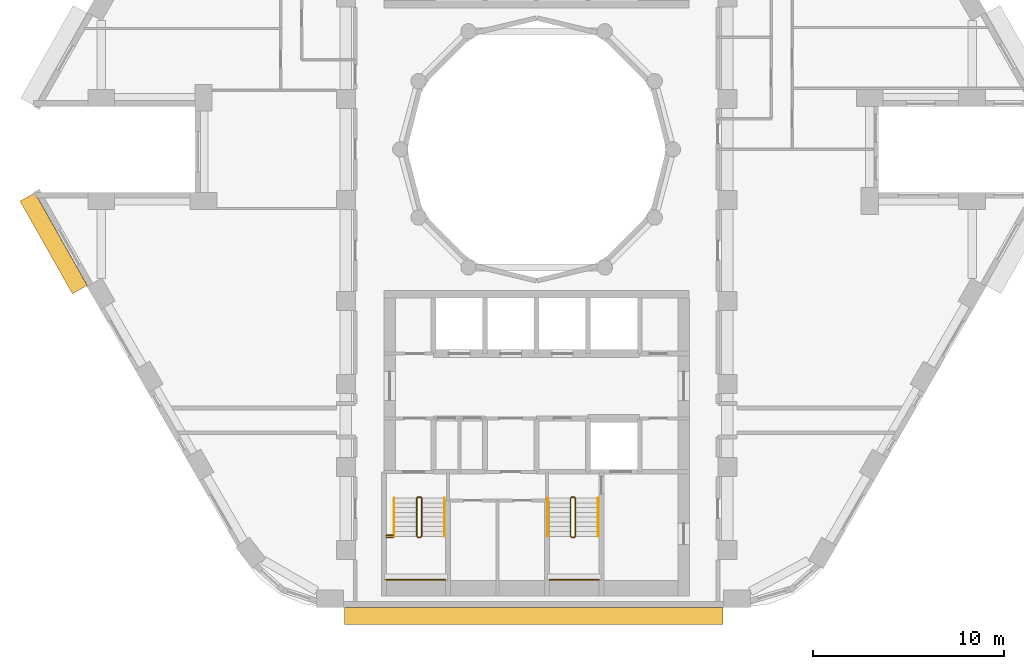
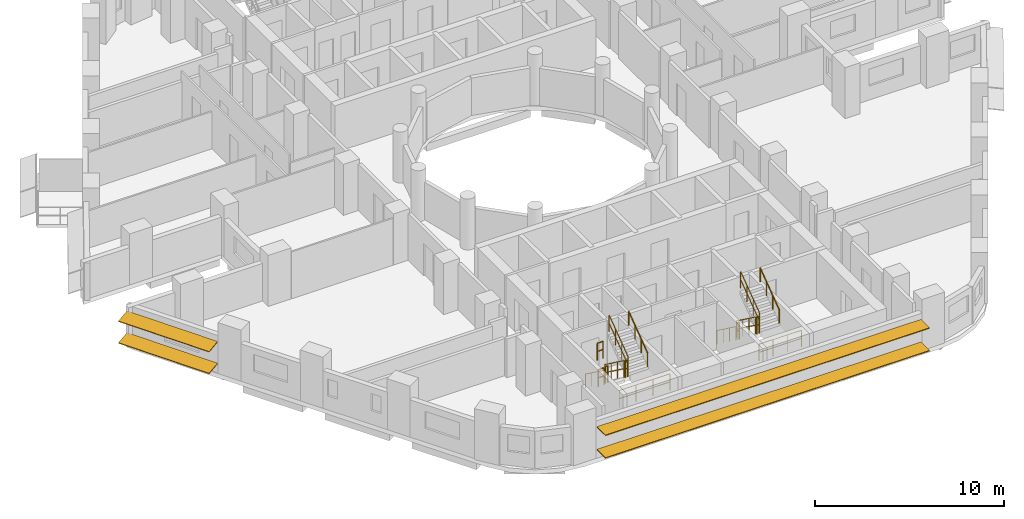
# One storey, part 12 of 14: 16 railings, 4 shading devices.
"""IFC4 building model written with IfcOpenShell, lengths in metres."""

from ifc_helpers import new_model, si_unit, direction, frame, origin, origin_2d, place, context, subcontext, project, spatial, rectangle, circle, extrude, material, material_profile, profile_set, type_object, element, save


model = new_model("IFC4")

# Units and contexts
model_context = context("Model", 3, precision=1e-05, world=origin(), true_north=direction((0.0, 1.0)))
body_context = subcontext(model_context, "Body", "Model", "MODEL_VIEW")
ifc_project = project(units=[si_unit("LENGTHUNIT", "METRE"), si_unit("AREAUNIT", "SQUARE_METRE"), si_unit("VOLUMEUNIT", "CUBIC_METRE"), si_unit("PLANEANGLEUNIT", "RADIAN"), si_unit("MASSUNIT", "GRAM", prefix="KILO")], contexts=[model_context])

# Site, building, storey
site_placement = place(None, origin())
site = spatial("IfcSite", under=ifc_project, at=site_placement, CompositionType="ELEMENT")
building_placement = place(site_placement, origin())
building = spatial("IfcBuilding", under=site, at=building_placement, Name="Nakaniwa Court", CompositionType="ELEMENT")
storey_placement = place(building_placement, frame((0.0, 0.0, 114.0)))
storey = spatial("IfcBuildingStorey", under=building, at=storey_placement, Name="L30", CompositionType="ELEMENT", Elevation=114.0)

# Shading devices
ifc_material_1 = material(Name="Perforated charcoal ceramic louvre blade")
ifc_material_profile = material_profile(ifc_material_1, rectangle(XDim=0.89990234375, YDim=0.050048828125, at=origin_2d()), Name="Perforated ceramic louvre blade")
ifc_profile_set = profile_set([ifc_material_profile], Name="Perforated charcoal ceramic louvre blade")
shading_device_type = type_object("IfcShadingDeviceType", Name="Perforated ceramic louvre blade", PredefinedType="JALOUSIE", material=ifc_profile_set)
for number, where, z_axis, x_axis, name in (
    (1, (53.31689453125, 77.508056640625, 0.550048828125), (0.492438058427, -0.870347493024, 0.0), (0.862701960504, 0.488112256124, 0.132256390257), "L30 perforated ceramic louvre blade w20 1"),
    (2, (53.31689453125, 77.508056640625, 1.955810546875), (0.492438058427, -0.870347493024, 0.0), (0.862701960504, 0.488112256124, 0.132256390257), "L30 perforated ceramic louvre blade w20 2"),
):
    element("IfcShadingDevice", number, at=place(storey_placement, frame(where, z_axis=z_axis, x_axis=x_axis)), inside=storey, type_object=shading_device_type, Name=name, PredefinedType="JALOUSIE", context=body_context, shape_type="SweptSolid", body=[
        extrude(rectangle(XDim=0.89990234375, YDim=0.050048828125, at=origin_2d()), origin(), (0.0, 0.0, 1.0), 5.576416015625),
    ])
for number, where, z_axis, x_axis, name in (
    (3, (69.92138671875, 55.550048828125, 0.550048828125), (1.0, 0.0, 0.0), (0.0, 1.0, 0.0), "L30 perforated ceramic louvre blade w26 1"),
    (4, (69.92138671875, 55.550048828125, 2.014892578125), (1.0, 0.0, 0.0), (0.0, 1.0, 0.0), "L30 perforated ceramic louvre blade w26 2"),
):
    element("IfcShadingDevice", number, at=place(storey_placement, frame(where, z_axis=z_axis, x_axis=x_axis)), inside=storey, type_object=shading_device_type, Name=name, PredefinedType="JALOUSIE", context=body_context, shape_type="SweptSolid", body=[
        extrude(rectangle(XDim=0.89990234375, YDim=0.050048828125, at=origin_2d()), origin(), (0.0, 0.0, 1.0), 19.839599609375),
    ])

# Railings
ifc_material_2 = material(Name="Black powder coated steel guard", Category="steel")
railing_type_1 = type_object("IfcRailingType", Name="Stair guard 1100", PredefinedType="GUARDRAIL", material=ifc_material_2)
railing_1_placement = place(storey_placement, frame((73.72509765625, 61.72509765625, 0.183349609375)))
element("IfcRailing", 5, at=railing_1_placement, inside=storey, type_object=railing_type_1, Name="L30 ST3 stair guard 1", PredefinedType="GUARDRAIL", context=body_context, shape_type="SweptSolid", body=[
    extrude(circle(Radius=0.02392578125, at=origin_2d()), frame((0.0, 0.0, 1.076171875), z_axis=(0.0, -0.806426902644, 0.591333789573), x_axis=(1.0, 0.0, 0.0)), (0.0, 0.0, 1.0), 2.47998046875),
    extrude(circle(Radius=0.02392578125, at=origin_2d()), frame((0.0, 0.0, 0.550048828125), z_axis=(0.0, -0.806426902644, 0.591333789573), x_axis=(1.0, 0.0, 0.0)), (0.0, 0.0, 1.0), 2.47998046875),
    extrude(circle(Radius=0.02099609375, at=origin_2d()), origin(), (0.0, 0.0, 1.0), 1.052001953125),
    extrude(circle(Radius=0.02099609375, at=origin_2d()), frame((0.0, -0.666748046875, 0.48876953125)), (0.0, 0.0, 1.0), 1.052001953125),
    extrude(circle(Radius=0.02099609375, at=origin_2d()), frame((0.0, -1.333251953125, 0.977783203125)), (0.0, 0.0, 1.0), 1.052001953125),
    extrude(circle(Radius=0.02099609375, at=origin_2d()), frame((0.0, -2.0, 1.466552734375)), (0.0, 0.0, 1.0), 1.052001953125),
])
railing_2_placement = place(storey_placement, frame((73.77490234375, 59.675048828125, 1.64990234375)))
element("IfcRailing", 6, at=railing_2_placement, inside=storey, type_object=railing_type_1, Name="L30 ST3 stair guard 2", PredefinedType="GUARDRAIL", context=body_context, shape_type="SweptSolid", body=[
    extrude(circle(Radius=0.02392578125, at=origin_2d()), frame((0.0, 0.0, 1.076171875), z_axis=(1.0, 0.0, 0.0), x_axis=(0.0, 1.0, 0.0)), (0.0, 0.0, 1.0), 0.150146484375),
    extrude(circle(Radius=0.02392578125, at=origin_2d()), frame((0.0, 0.0, 0.550048828125), z_axis=(1.0, 0.0, 0.0), x_axis=(0.0, 1.0, 0.0)), (0.0, 0.0, 1.0), 0.150146484375),
    extrude(circle(Radius=0.02099609375, at=origin_2d()), origin(), (0.0, 0.0, 1.0), 1.052001953125),
    extrude(circle(Radius=0.02099609375, at=origin_2d()), frame((0.150146484375, 0.0, 0.0)), (0.0, 0.0, 1.0), 1.052001953125),
])
railing_3_placement = place(storey_placement, frame((73.97509765625, 59.72509765625, 1.833251953125)))
element("IfcRailing", 7, at=railing_3_placement, inside=storey, type_object=railing_type_1, Name="L30 ST3 stair guard 3", PredefinedType="GUARDRAIL", context=body_context, shape_type="SweptSolid", body=[
    extrude(circle(Radius=0.02392578125, at=origin_2d()), frame((0.0, 0.0, 1.076171875), z_axis=(0.0, 0.806379959628, 0.591397802423), x_axis=(-1.0, 0.0, 0.0)), (0.0, 0.0, 1.0), 2.480224609375),
    extrude(circle(Radius=0.02392578125, at=origin_2d()), frame((0.0, 0.0, 0.550048828125), z_axis=(0.0, 0.806379959628, 0.591397802423), x_axis=(-1.0, 0.0, 0.0)), (0.0, 0.0, 1.0), 2.480224609375),
    extrude(circle(Radius=0.02099609375, at=origin_2d()), origin(), (0.0, 0.0, 1.0), 1.052001953125),
    extrude(circle(Radius=0.02099609375, at=origin_2d()), frame((0.0, 0.666748046875, 0.489013671875)), (0.0, 0.0, 1.0), 1.052001953125),
    extrude(circle(Radius=0.02099609375, at=origin_2d()), frame((0.0, 1.333251953125, 0.977783203125)), (0.0, 0.0, 1.0), 1.052001953125),
    extrude(circle(Radius=0.02099609375, at=origin_2d()), frame((0.0, 2.0, 1.466796875)), (0.0, 0.0, 1.0), 1.052001953125),
])
railing_4_placement = place(storey_placement, frame((73.77490234375, 61.77490234375, 0.0)))
element("IfcRailing", 8, at=railing_4_placement, inside=storey, type_object=railing_type_1, Name="L30 ST3 stair guard 4", PredefinedType="GUARDRAIL", context=body_context, shape_type="SweptSolid", body=[
    extrude(circle(Radius=0.02392578125, at=origin_2d()), frame((0.0, 0.0, 1.076171875), z_axis=(1.0, 0.0, 0.0), x_axis=(0.0, 1.0, 0.0)), (0.0, 0.0, 1.0), 0.150146484375),
    extrude(circle(Radius=0.02392578125, at=origin_2d()), frame((0.0, 0.0, 0.550048828125), z_axis=(1.0, 0.0, 0.0), x_axis=(0.0, 1.0, 0.0)), (0.0, 0.0, 1.0), 0.150146484375),
    extrude(circle(Radius=0.02099609375, at=origin_2d()), origin(), (0.0, 0.0, 1.0), 1.052001953125),
    extrude(circle(Radius=0.02099609375, at=origin_2d()), frame((0.150146484375, 0.0, 0.0)), (0.0, 0.0, 1.0), 1.052001953125),
])
railing_5_placement = place(storey_placement, frame((72.125, 57.449951171875, 1.64990234375)))
element("IfcRailing", 9, at=railing_5_placement, inside=storey, type_object=railing_type_1, Name="L30 ST3 landing end guard 1", PredefinedType="GUARDRAIL", context=body_context, shape_type="SweptSolid", body=[
    extrude(circle(Radius=0.02392578125, at=origin_2d()), frame((0.0, 0.0, 1.076171875), z_axis=(1.0, 0.0, 0.0), x_axis=(0.0, 1.0, 0.0)), (0.0, 0.0, 1.0), 3.10009765625),
    extrude(circle(Radius=0.02392578125, at=origin_2d()), frame((0.0, 0.0, 0.550048828125), z_axis=(1.0, 0.0, 0.0), x_axis=(0.0, 1.0, 0.0)), (0.0, 0.0, 1.0), 3.10009765625),
    extrude(circle(Radius=0.02099609375, at=origin_2d()), origin(), (0.0, 0.0, 1.0), 1.052001953125),
    extrude(circle(Radius=0.02099609375, at=origin_2d()), frame((1.033447265625, 0.0, 0.0)), (0.0, 0.0, 1.0), 1.052001953125),
    extrude(circle(Radius=0.02099609375, at=origin_2d()), frame((2.066650390625, 0.0, 0.0)), (0.0, 0.0, 1.0), 1.052001953125),
    extrude(circle(Radius=0.02099609375, at=origin_2d()), frame((3.10009765625, 0.0, 0.0)), (0.0, 0.0, 1.0), 1.052001953125),
])
for number, where, name in (
    (10, (72.125, 59.675048828125, 1.64990234375), "L30 ST3 landing side guard 1W"),
    (11, (72.125, 59.77490234375, 3.300048828125), "L30 ST3 floor edge guard 1W"),
):
    element("IfcRailing", number, at=place(storey_placement, frame(where)), inside=storey, type_object=railing_type_1, Name=name, PredefinedType="GUARDRAIL", context=body_context, shape_type="SweptSolid", body=[
        extrude(circle(Radius=0.02392578125, at=origin_2d()), frame((0.0, 0.0, 1.076171875), z_axis=(1.0, 0.0, 0.0), x_axis=(0.0, 1.0, 0.0)), (0.0, 0.0, 1.0), 0.35009765625),
        extrude(circle(Radius=0.02392578125, at=origin_2d()), frame((0.0, 0.0, 0.550048828125), z_axis=(1.0, 0.0, 0.0), x_axis=(0.0, 1.0, 0.0)), (0.0, 0.0, 1.0), 0.35009765625),
        extrude(circle(Radius=0.02099609375, at=origin_2d()), origin(), (0.0, 0.0, 1.0), 1.052001953125),
        extrude(circle(Radius=0.02099609375, at=origin_2d()), frame((0.35009765625, 0.0, 0.0)), (0.0, 0.0, 1.0), 1.052001953125),
    ])
railing_6_placement = place(storey_placement, frame((81.77490234375, 61.72509765625, 0.183349609375)))
element("IfcRailing", 12, at=railing_6_placement, inside=storey, type_object=railing_type_1, Name="L30 ST4 stair guard 1", PredefinedType="GUARDRAIL", context=body_context, shape_type="SweptSolid", body=[
    extrude(circle(Radius=0.02392578125, at=origin_2d()), frame((0.0, 0.0, 1.076171875), z_axis=(0.0, -0.806426902644, 0.591333789573), x_axis=(1.0, 0.0, 0.0)), (0.0, 0.0, 1.0), 2.47998046875),
    extrude(circle(Radius=0.02392578125, at=origin_2d()), frame((0.0, 0.0, 0.550048828125), z_axis=(0.0, -0.806426902644, 0.591333789573), x_axis=(1.0, 0.0, 0.0)), (0.0, 0.0, 1.0), 2.47998046875),
    extrude(circle(Radius=0.02099609375, at=origin_2d()), origin(), (0.0, 0.0, 1.0), 1.052001953125),
    extrude(circle(Radius=0.02099609375, at=origin_2d()), frame((0.0, -0.666748046875, 0.48876953125)), (0.0, 0.0, 1.0), 1.052001953125),
    extrude(circle(Radius=0.02099609375, at=origin_2d()), frame((0.0, -1.333251953125, 0.977783203125)), (0.0, 0.0, 1.0), 1.052001953125),
    extrude(circle(Radius=0.02099609375, at=origin_2d()), frame((0.0, -2.0, 1.466552734375)), (0.0, 0.0, 1.0), 1.052001953125),
])
railing_7_placement = place(storey_placement, frame((81.824951171875, 59.675048828125, 1.64990234375)))
element("IfcRailing", 13, at=railing_7_placement, inside=storey, type_object=railing_type_1, Name="L30 ST4 stair guard 2", PredefinedType="GUARDRAIL", context=body_context, shape_type="SweptSolid", body=[
    extrude(circle(Radius=0.02392578125, at=origin_2d()), frame((0.0, 0.0, 1.076171875), z_axis=(1.0, 0.0, 0.0), x_axis=(0.0, 1.0, 0.0)), (0.0, 0.0, 1.0), 0.150146484375),
    extrude(circle(Radius=0.02392578125, at=origin_2d()), frame((0.0, 0.0, 0.550048828125), z_axis=(1.0, 0.0, 0.0), x_axis=(0.0, 1.0, 0.0)), (0.0, 0.0, 1.0), 0.150146484375),
    extrude(circle(Radius=0.02099609375, at=origin_2d()), origin(), (0.0, 0.0, 1.0), 1.052001953125),
    extrude(circle(Radius=0.02099609375, at=origin_2d()), frame((0.150146484375, 0.0, 0.0)), (0.0, 0.0, 1.0), 1.052001953125),
])
railing_8_placement = place(storey_placement, frame((82.02490234375, 59.72509765625, 1.833251953125)))
element("IfcRailing", 14, at=railing_8_placement, inside=storey, type_object=railing_type_1, Name="L30 ST4 stair guard 3", PredefinedType="GUARDRAIL", context=body_context, shape_type="SweptSolid", body=[
    extrude(circle(Radius=0.02392578125, at=origin_2d()), frame((0.0, 0.0, 1.076171875), z_axis=(0.0, 0.806379959628, 0.591397802423), x_axis=(-1.0, 0.0, 0.0)), (0.0, 0.0, 1.0), 2.480224609375),
    extrude(circle(Radius=0.02392578125, at=origin_2d()), frame((0.0, 0.0, 0.550048828125), z_axis=(0.0, 0.806379959628, 0.591397802423), x_axis=(-1.0, 0.0, 0.0)), (0.0, 0.0, 1.0), 2.480224609375),
    extrude(circle(Radius=0.02099609375, at=origin_2d()), origin(), (0.0, 0.0, 1.0), 1.052001953125),
    extrude(circle(Radius=0.02099609375, at=origin_2d()), frame((0.0, 0.666748046875, 0.489013671875)), (0.0, 0.0, 1.0), 1.052001953125),
    extrude(circle(Radius=0.02099609375, at=origin_2d()), frame((0.0, 1.333251953125, 0.977783203125)), (0.0, 0.0, 1.0), 1.052001953125),
    extrude(circle(Radius=0.02099609375, at=origin_2d()), frame((0.0, 2.0, 1.466796875)), (0.0, 0.0, 1.0), 1.052001953125),
])
railing_9_placement = place(storey_placement, frame((81.824951171875, 61.77490234375, 0.0)))
element("IfcRailing", 15, at=railing_9_placement, inside=storey, type_object=railing_type_1, Name="L30 ST4 stair guard 4", PredefinedType="GUARDRAIL", context=body_context, shape_type="SweptSolid", body=[
    extrude(circle(Radius=0.02392578125, at=origin_2d()), frame((0.0, 0.0, 1.076171875), z_axis=(1.0, 0.0, 0.0), x_axis=(0.0, 1.0, 0.0)), (0.0, 0.0, 1.0), 0.150146484375),
    extrude(circle(Radius=0.02392578125, at=origin_2d()), frame((0.0, 0.0, 0.550048828125), z_axis=(1.0, 0.0, 0.0), x_axis=(0.0, 1.0, 0.0)), (0.0, 0.0, 1.0), 0.150146484375),
    extrude(circle(Radius=0.02099609375, at=origin_2d()), origin(), (0.0, 0.0, 1.0), 1.052001953125),
    extrude(circle(Radius=0.02099609375, at=origin_2d()), frame((0.150146484375, 0.0, 0.0)), (0.0, 0.0, 1.0), 1.052001953125),
])
railing_10_placement = place(storey_placement, frame((80.675048828125, 57.449951171875, 1.64990234375)))
element("IfcRailing", 16, at=railing_10_placement, inside=storey, type_object=railing_type_1, Name="L30 ST4 landing end guard 1", PredefinedType="GUARDRAIL", context=body_context, shape_type="SweptSolid", body=[
    extrude(circle(Radius=0.02392578125, at=origin_2d()), frame((0.0, 0.0, 1.076171875), z_axis=(1.0, 0.0, 0.0), x_axis=(0.0, 1.0, 0.0)), (0.0, 0.0, 1.0), 2.599853515625),
    extrude(circle(Radius=0.02392578125, at=origin_2d()), frame((0.0, 0.0, 0.550048828125), z_axis=(1.0, 0.0, 0.0), x_axis=(0.0, 1.0, 0.0)), (0.0, 0.0, 1.0), 2.599853515625),
    extrude(circle(Radius=0.02099609375, at=origin_2d()), origin(), (0.0, 0.0, 1.0), 1.052001953125),
    extrude(circle(Radius=0.02099609375, at=origin_2d()), frame((0.86669921875, 0.0, 0.0)), (0.0, 0.0, 1.0), 1.052001953125),
    extrude(circle(Radius=0.02099609375, at=origin_2d()), frame((1.733154296875, 0.0, 0.0)), (0.0, 0.0, 1.0), 1.052001953125),
    extrude(circle(Radius=0.02099609375, at=origin_2d()), frame((2.599853515625, 0.0, 0.0)), (0.0, 0.0, 1.0), 1.052001953125),
])
ifc_material_3 = material(Name="Black powder coated steel handrail", Category="steel")
railing_type_2 = type_object("IfcRailingType", Name="Stair handrail 900", PredefinedType="HANDRAIL", material=ifc_material_3)
railing_11_placement = place(storey_placement, frame((72.52490234375, 61.72509765625, 0.183349609375)))
element("IfcRailing", 17, at=railing_11_placement, inside=storey, type_object=railing_type_2, Name="L30 ST3 stair handrail 1", PredefinedType="HANDRAIL", context=body_context, shape_type="SweptSolid", body=[
    extrude(circle(Radius=0.02392578125, at=origin_2d()), frame((0.0, 0.0, 0.8759765625), z_axis=(0.0, -0.806426902644, 0.591333789573), x_axis=(1.0, 0.0, 0.0)), (0.0, 0.0, 1.0), 2.47998046875),
    extrude(circle(Radius=0.02099609375, at=origin_2d()), origin(), (0.0, 0.0, 1.0), 0.851806640625),
    extrude(circle(Radius=0.02099609375, at=origin_2d()), frame((0.0, -0.666748046875, 0.48876953125)), (0.0, 0.0, 1.0), 0.851806640625),
    extrude(circle(Radius=0.02099609375, at=origin_2d()), frame((0.0, -1.333251953125, 0.977783203125)), (0.0, 0.0, 1.0), 0.851806640625),
    extrude(circle(Radius=0.02099609375, at=origin_2d()), frame((0.0, -2.0, 1.466552734375)), (0.0, 0.0, 1.0), 0.851806640625),
])
railing_12_placement = place(storey_placement, frame((75.175048828125, 59.72509765625, 1.833251953125)))
element("IfcRailing", 18, at=railing_12_placement, inside=storey, type_object=railing_type_2, Name="L30 ST3 stair handrail 2", PredefinedType="HANDRAIL", context=body_context, shape_type="SweptSolid", body=[
    extrude(circle(Radius=0.02392578125, at=origin_2d()), frame((0.0, 0.0, 0.8759765625), z_axis=(0.0, 0.806379959628, 0.591397802423), x_axis=(-1.0, 0.0, 0.0)), (0.0, 0.0, 1.0), 2.480224609375),
    extrude(circle(Radius=0.02099609375, at=origin_2d()), origin(), (0.0, 0.0, 1.0), 0.851806640625),
    extrude(circle(Radius=0.02099609375, at=origin_2d()), frame((0.0, 0.666748046875, 0.489013671875)), (0.0, 0.0, 1.0), 0.851806640625),
    extrude(circle(Radius=0.02099609375, at=origin_2d()), frame((0.0, 1.333251953125, 0.977783203125)), (0.0, 0.0, 1.0), 0.851806640625),
    extrude(circle(Radius=0.02099609375, at=origin_2d()), frame((0.0, 2.0, 1.466796875)), (0.0, 0.0, 1.0), 0.851806640625),
])
railing_13_placement = place(storey_placement, frame((80.574951171875, 61.72509765625, 0.183349609375)))
element("IfcRailing", 19, at=railing_13_placement, inside=storey, type_object=railing_type_2, Name="L30 ST4 stair handrail 1", PredefinedType="HANDRAIL", context=body_context, shape_type="SweptSolid", body=[
    extrude(circle(Radius=0.02392578125, at=origin_2d()), frame((0.0, 0.0, 0.8759765625), z_axis=(0.0, -0.806426902644, 0.591333789573), x_axis=(1.0, 0.0, 0.0)), (0.0, 0.0, 1.0), 2.47998046875),
    extrude(circle(Radius=0.02099609375, at=origin_2d()), origin(), (0.0, 0.0, 1.0), 0.851806640625),
    extrude(circle(Radius=0.02099609375, at=origin_2d()), frame((0.0, -0.666748046875, 0.48876953125)), (0.0, 0.0, 1.0), 0.851806640625),
    extrude(circle(Radius=0.02099609375, at=origin_2d()), frame((0.0, -1.333251953125, 0.977783203125)), (0.0, 0.0, 1.0), 0.851806640625),
    extrude(circle(Radius=0.02099609375, at=origin_2d()), frame((0.0, -2.0, 1.466552734375)), (0.0, 0.0, 1.0), 0.851806640625),
])
railing_14_placement = place(storey_placement, frame((83.22509765625, 59.72509765625, 1.833251953125)))
element("IfcRailing", 20, at=railing_14_placement, inside=storey, type_object=railing_type_2, Name="L30 ST4 stair handrail 2", PredefinedType="HANDRAIL", context=body_context, shape_type="SweptSolid", body=[
    extrude(circle(Radius=0.02392578125, at=origin_2d()), frame((0.0, 0.0, 0.8759765625), z_axis=(0.0, 0.806379959628, 0.591397802423), x_axis=(-1.0, 0.0, 0.0)), (0.0, 0.0, 1.0), 2.480224609375),
    extrude(circle(Radius=0.02099609375, at=origin_2d()), origin(), (0.0, 0.0, 1.0), 0.851806640625),
    extrude(circle(Radius=0.02099609375, at=origin_2d()), frame((0.0, 0.666748046875, 0.489013671875)), (0.0, 0.0, 1.0), 0.851806640625),
    extrude(circle(Radius=0.02099609375, at=origin_2d()), frame((0.0, 1.333251953125, 0.977783203125)), (0.0, 0.0, 1.0), 0.851806640625),
    extrude(circle(Radius=0.02099609375, at=origin_2d()), frame((0.0, 2.0, 1.466796875)), (0.0, 0.0, 1.0), 0.851806640625),
])

save(model, "model.ifc")
